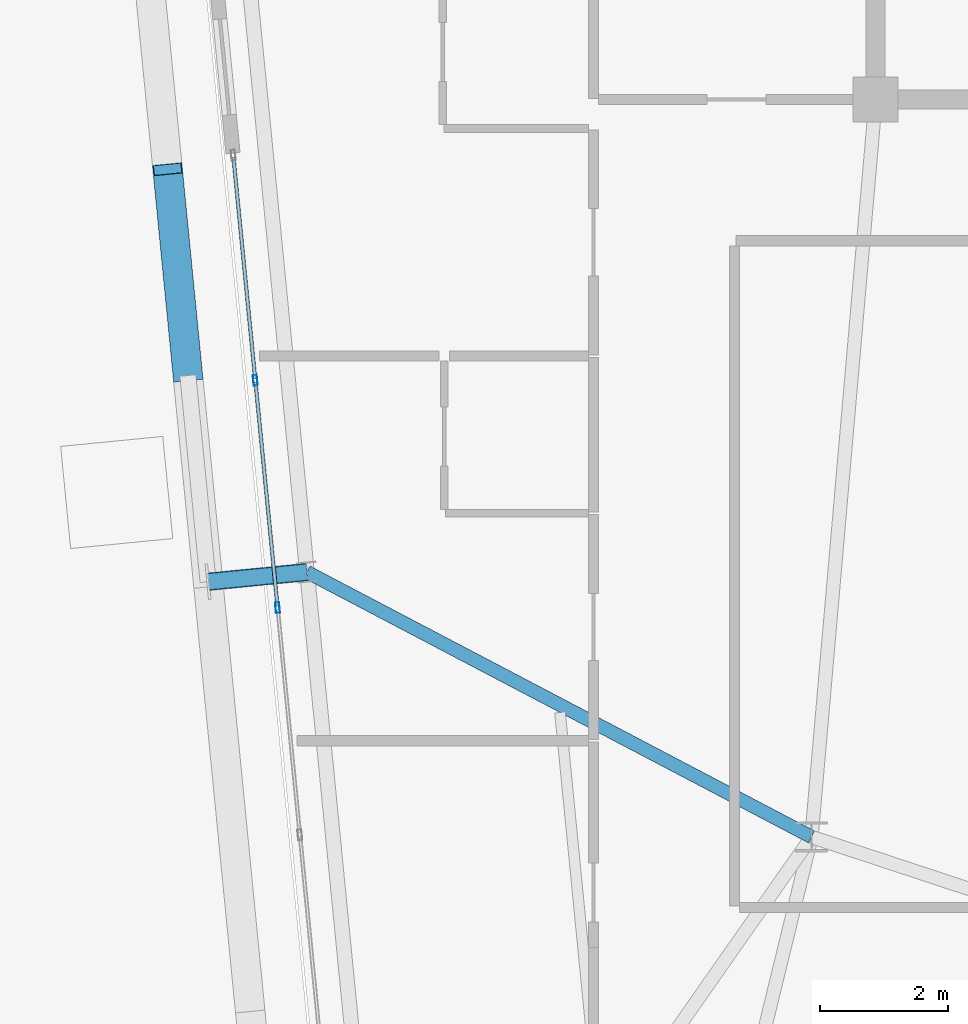
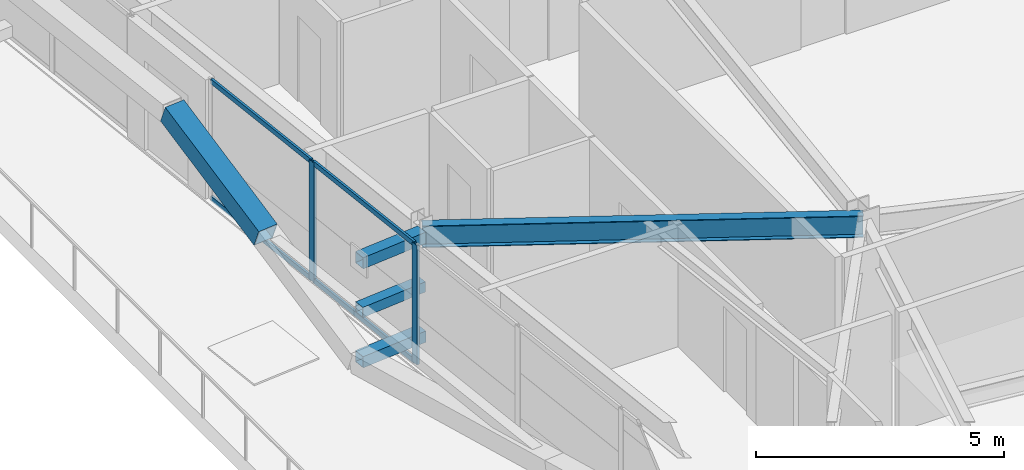
# One storey, part 13 of 51: 10 members, 1 beam, 1 element without a shape of its own.
"""IFC4 building model written with IfcOpenShell, lengths in metres."""

from ifc_helpers import new_model, si_unit, direction, frame, origin, origin_2d, place, context, subcontext, project, spatial, hollow_rectangle, i_section, extrude, source, transform, mapped, material, layer, layer_set, material_profile, profile_set, type_object, element, aggregate, save


model = new_model("IFC4")

# Units and contexts
model_context = context("Model", 3, precision=1e-05, world=origin(), true_north=direction((0.0, 1.0)))
body_context = subcontext(model_context, "Body", "Model", "MODEL_VIEW")
ifc_project = project(units=[si_unit("LENGTHUNIT", "METRE"), si_unit("AREAUNIT", "SQUARE_METRE"), si_unit("VOLUMEUNIT", "CUBIC_METRE"), si_unit("PLANEANGLEUNIT", "RADIAN"), si_unit("MASSUNIT", "GRAM", prefix="KILO")], contexts=[model_context])

# Site, building, storey
site_placement = place(None, origin())
site = spatial("IfcSite", under=ifc_project, at=site_placement, CompositionType="ELEMENT")
building_placement = place(site_placement, origin())
building = spatial("IfcBuilding", under=site, at=building_placement, Name="Taldren Reach Tower", CompositionType="ELEMENT")
storey_placement = place(building_placement, frame((0.0, 0.0, 65.10009765625)))
storey = spatial("IfcBuildingStorey", under=building, at=storey_placement, Name="L19", CompositionType="ELEMENT", Elevation=65.10009765625)

# Beam
ifc_material_1 = material(Name="Steel Gr 350 (350PLUS)", Category="steel")
ifc_material_profile_1 = material_profile(ifc_material_1, i_section(OverallWidth=0.208984375, OverallDepth=0.532958984375, WebThickness=0.01025390625, FlangeThickness=0.015625, at=origin_2d()), Name="530UB92.4")
ifc_profile_set_1 = profile_set([ifc_material_profile_1], Name="Steel Gr 350 (350PLUS)")
beam_type = type_object("IfcBeamType", Name="BM-UB530A", PredefinedType="BEAM", material=ifc_profile_set_1)
shared_shape_1 = source(origin(), body_context, "Body", "SweptSolid", [
    extrude(i_section(OverallWidth=0.208984375, OverallDepth=0.532958984375, WebThickness=0.01025390625, FlangeThickness=0.015625, at=origin_2d()), origin(), (0.0, 0.0, 1.0), 8.8876953125),
])
beam_placement = place(storey_placement, frame((18.0, 12.5, 2.663330078125), z_axis=(-0.885412881876, 0.464805366371, 0.0), x_axis=(-0.464805366371, -0.885412881876, 0.0)))
element("IfcBeam", 1, at=beam_placement, inside=storey, type_object=beam_type, Name="Primary floor girder B2-W2 L19", PredefinedType="BEAM", context=body_context, shape_type="MappedRepresentation", body=[
    mapped(shared_shape_1, transform((0.0, 0.0, 0.0), scale=1.0)),
])

# Members
ifc_material_2 = material(Name="Steel Gr 450 (C450L0)", Category="steel")
ifc_material_profile_2 = material_profile(ifc_material_2, hollow_rectangle(XDim=0.27490234375, YDim=0.27490234375, WallThickness=0.00927734375, at=origin_2d()), Name="275x275x9.3SHS")
ifc_profile_set_2 = profile_set([ifc_material_profile_2], Name="Steel Gr 450 (C450L0)")
member_type_1 = type_object("IfcMemberType", Name="MB-TIE273", PredefinedType="STRUT", material=ifc_profile_set_2)
shared_shape_2 = source(origin(), body_context, "Body", "SweptSolid", [
    extrude(hollow_rectangle(XDim=0.27490234375, YDim=0.27490234375, WallThickness=0.00927734375, at=origin_2d()), origin(), (0.0, 0.0, 1.0), 1.550048828125),
])
for number, where, z_axis, x_axis, name in (
    (2, (10.130615234375, 16.631103515625, 2.64990234375), (-0.9952210252, -0.097647892962, 0.0), (0.097647892962, -0.9952210252, 0.0), "Exoskeleton diaphragm tie strut B2-W2 L19"),
    (3, (10.130615234375, 16.631103515625, 0.219970703125), (-0.9952210252, -0.097647892962, 0.0), (0.097647892962, -0.9952210252, 0.0), "Exoskeleton base diaphragm tie strut B2-W2 L19"),
):
    element("IfcMember", number, at=place(storey_placement, frame(where, z_axis=z_axis, x_axis=x_axis)), inside=storey, type_object=member_type_1, Name=name, PredefinedType="STRUT", context=body_context, shape_type="MappedRepresentation", body=[
        mapped(shared_shape_2, transform((0.0, 0.0, 0.0), scale=1.0)),
    ])
ifc_material_3 = material(Name="Steel Gr 350 (C350L0)", Category="steel")
ifc_material_profile_3 = material_profile(ifc_material_3, hollow_rectangle(XDim=0.25, YDim=0.25, WallThickness=0.010009765625, at=origin_2d()), Name="250x250x10.0SHS")
ifc_profile_set_3 = profile_set([ifc_material_profile_3], Name="Steel Gr 350 (C350L0)")
member_type_2 = type_object("IfcMemberType", Name="MB-POST250", PredefinedType="POST", material=ifc_profile_set_3)
shared_shape_3 = source(origin(), body_context, "Body", "SweptSolid", [
    extrude(hollow_rectangle(XDim=0.25, YDim=0.25, WallThickness=0.010009765625, at=origin_2d()), origin(), (0.0, 0.0, 1.0), 1.550048828125),
])
member_1_placement = place(storey_placement, frame((10.130615234375, 16.631103515625, 1.434814453125), z_axis=(-0.9952210252, -0.097647892962, 0.0), x_axis=(0.097647892962, -0.9952210252, 0.0)))
element("IfcMember", 4, at=member_1_placement, inside=storey, type_object=member_type_2, Name="Exoskeleton mid-tier diaphragm tie B2-W2 L19", PredefinedType="POST", context=body_context, shape_type="MappedRepresentation", body=[
    mapped(shared_shape_3, transform((0.0, 0.0, 0.0), scale=1.0)),
])
ifc_material_profile_4 = material_profile(ifc_material_2, hollow_rectangle(XDim=0.4599609375, YDim=0.4599609375, WallThickness=0.01611328125, at=origin_2d()), Name="460x460x16.0SHS")
ifc_profile_set_4 = profile_set([ifc_material_profile_4], Name="Steel Gr 450 (C450L0)")
member_type_3 = type_object("IfcMemberType", Name="MB-EXO457", PredefinedType="BRACE", material=ifc_profile_set_4)
shared_shape_4 = source(origin(), body_context, "Body", "SweptSolid", [
    extrude(hollow_rectangle(XDim=0.4599609375, YDim=0.4599609375, WallThickness=0.01611328125, at=origin_2d()), origin(), (0.0, 0.0, 1.0), 3.453369140625),
])
member_2_placement = place(storey_placement, frame((8.2724609375, 19.697021484375, 1.434814453125), z_axis=(-0.091341499972, 0.93158432286, 0.351862728609), x_axis=(-0.995227518415, -0.097581691872, 0.0)))
element("IfcMember", 5, at=member_2_placement, inside=storey, type_object=member_type_3, Name="Exoskeleton Diagrid Brace B2-W2 L19", PredefinedType="BRACE", context=body_context, shape_type="MappedRepresentation", body=[
    mapped(shared_shape_4, transform((0.0, 0.0, 0.0), scale=1.0)),
])

# Curtain wall, members
ifc_material_4 = material(Name="Aluminium and Low-E Glass Unitised System", Category="aluminium")
ifc_layer = layer(ifc_material_4, 0.159912109375)
ifc_layer_set = layer_set([ifc_layer], Name="Aluminium and Low-E Glass Unitised System")
curtain_wall_type = type_object("IfcCurtainWallType", Name="CW-SYS-3", PredefinedType="NOTDEFINED", material=ifc_layer_set)
curtain_wall_placement = place(storey_placement, origin())
curtain_wall = element("IfcCurtainWall", 6, at=curtain_wall_placement, inside=storey, type_object=curtain_wall_type, Name="Unitised curtain wall CW-L19-W2", PredefinedType="NOTDEFINED")
ifc_material_5 = material(Name="Anodised Aluminium 6063-T6", Category="aluminium")
ifc_material_profile_5 = material_profile(ifc_material_5, hollow_rectangle(XDim=0.06494140625, YDim=0.1650390625, WallThickness=0.00390625, at=origin_2d()), Name="ALU-165x65x4RHS")
ifc_profile_set_5 = profile_set([ifc_material_profile_5], Name="Anodised Aluminium 6063-T6")
member_type_4 = type_object("IfcMemberType", Name="CW-MUL-165", PredefinedType="MULLION", material=ifc_profile_set_5)
shared_shape_5 = source(origin(), body_context, "Body", "SweptSolid", [
    extrude(hollow_rectangle(XDim=0.06494140625, YDim=0.1650390625, WallThickness=0.00390625, at=origin_2d()), origin(), (0.0, 0.0, 1.0), 2.929931640625),
])
member_3_placement = place(storey_placement, frame((9.324951171875, 19.620849609375, 0.0), z_axis=(0.0, 0.0, 1.0), x_axis=(0.995227392345, 0.097582977646, 0.0)))
member_3 = element("IfcMember", 7, at=member_3_placement, type_object=member_type_4, Name="CW-3 mullion 2", PredefinedType="MULLION", context=body_context, shape_type="MappedRepresentation", body=[
    mapped(shared_shape_5, transform((0.0, 0.0, 0.0), scale=1.0)),
])
member_4_placement = place(storey_placement, frame((9.67236328125, 16.0771484375, 0.0), z_axis=(0.0, 0.0, 1.0), x_axis=(0.995227392345, 0.097582977646, 0.0)))
member_4 = element("IfcMember", 8, at=member_4_placement, type_object=member_type_4, Name="CW-3 mullion 3", PredefinedType="MULLION", context=body_context, shape_type="MappedRepresentation", body=[
    mapped(shared_shape_5, transform((0.0, 0.0, 0.0), scale=1.0)),
])
ifc_material_profile_6 = material_profile(ifc_material_5, hollow_rectangle(XDim=0.054931640625, YDim=0.1201171875, WallThickness=0.0029296875, at=origin_2d()), Name="ALU-120x55x3RHS")
ifc_profile_set_6 = profile_set([ifc_material_profile_6], Name="Anodised Aluminium 6063-T6")
member_type_5 = type_object("IfcMemberType", Name="CW-TRN-135", PredefinedType="USERDEFINED", material=ifc_profile_set_6)
shared_shape_6 = source(origin(), body_context, "Body", "SweptSolid", [
    extrude(hollow_rectangle(XDim=0.054931640625, YDim=0.1201171875, WallThickness=0.0029296875, at=origin_2d()), origin(), (0.0, 0.0, 1.0), 3.46337890625),
])
member_5_placement = place(storey_placement, frame((8.98388671875, 23.10009765625, 0.02734375), z_axis=(0.097563209612, -0.995229330421, 0.0), x_axis=(0.995229330421, 0.097563209612, 0.0)))
member_5 = element("IfcMember", 9, at=member_5_placement, type_object=member_type_5, Name="CW-3 transom 1.1", ObjectType="TRANSOM", PredefinedType="USERDEFINED", context=body_context, shape_type="MappedRepresentation", body=[
    mapped(shared_shape_6, transform((0.0, 0.0, 0.0), scale=1.0)),
])
member_6_placement = place(storey_placement, frame((8.98388671875, 23.10009765625, 2.90234375), z_axis=(0.097563209612, -0.995229330421, 0.0), x_axis=(0.995229330421, 0.097563209612, 0.0)))
member_6 = element("IfcMember", 10, at=member_6_placement, type_object=member_type_5, Name="CW-3 transom 1.2", ObjectType="TRANSOM", PredefinedType="USERDEFINED", context=body_context, shape_type="MappedRepresentation", body=[
    mapped(shared_shape_6, transform((0.0, 0.0, 0.0), scale=1.0)),
])
shared_shape_7 = source(origin(), body_context, "Body", "SweptSolid", [
    extrude(hollow_rectangle(XDim=0.054931640625, YDim=0.1201171875, WallThickness=0.0029296875, at=origin_2d()), origin(), (0.0, 0.0, 1.0), 3.495849609375),
])
member_7_placement = place(storey_placement, frame((9.328125, 19.588623046875, 0.02734375), z_axis=(0.097560573685, -0.99522958882, 0.0), x_axis=(0.99522958882, 0.097560573685, 0.0)))
member_7 = element("IfcMember", 11, at=member_7_placement, type_object=member_type_5, Name="CW-3 transom 2.1", ObjectType="TRANSOM", PredefinedType="USERDEFINED", context=body_context, shape_type="MappedRepresentation", body=[
    mapped(shared_shape_7, transform((0.0, 0.0, 0.0), scale=1.0)),
])
member_8_placement = place(storey_placement, frame((9.328125, 19.588623046875, 2.90234375), z_axis=(0.097560573685, -0.99522958882, 0.0), x_axis=(0.99522958882, 0.097560573685, 0.0)))
member_8 = element("IfcMember", 12, at=member_8_placement, type_object=member_type_5, Name="CW-3 transom 2.2", ObjectType="TRANSOM", PredefinedType="USERDEFINED", context=body_context, shape_type="MappedRepresentation", body=[
    mapped(shared_shape_7, transform((0.0, 0.0, 0.0), scale=1.0)),
])
aggregate(curtain_wall, [member_3, member_4, member_5, member_6, member_7, member_8])

save(model, "model.ifc")
